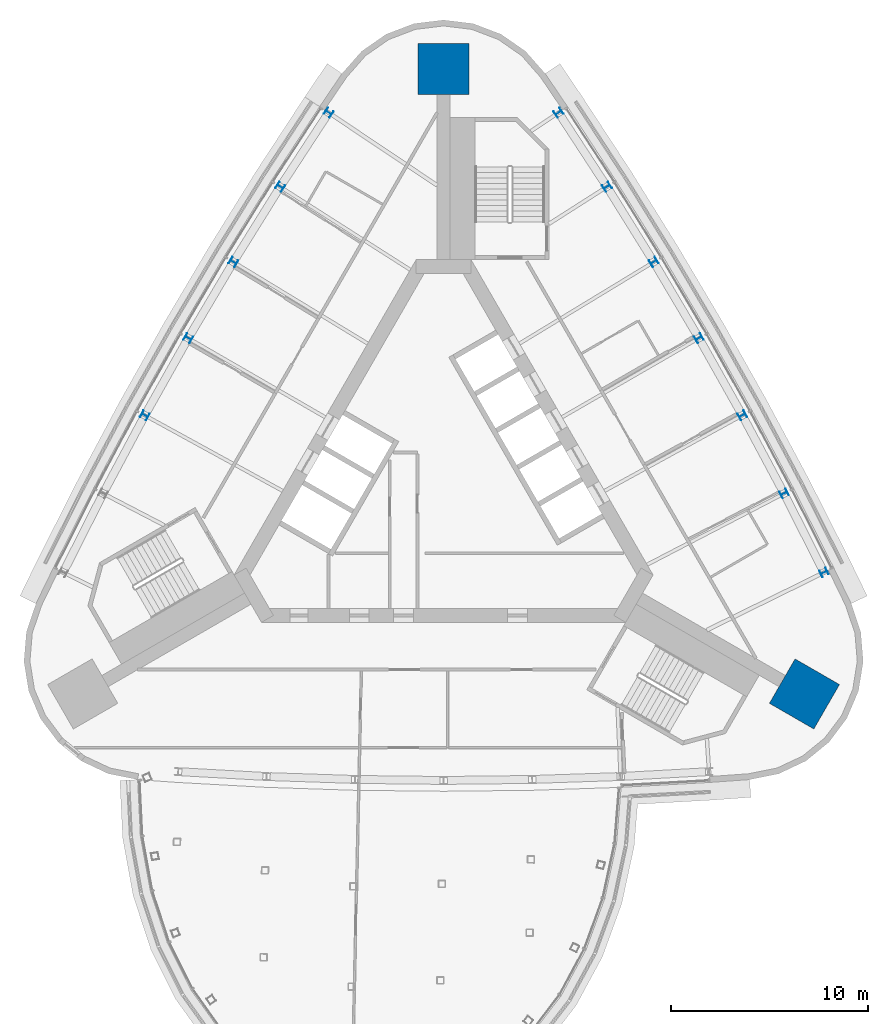
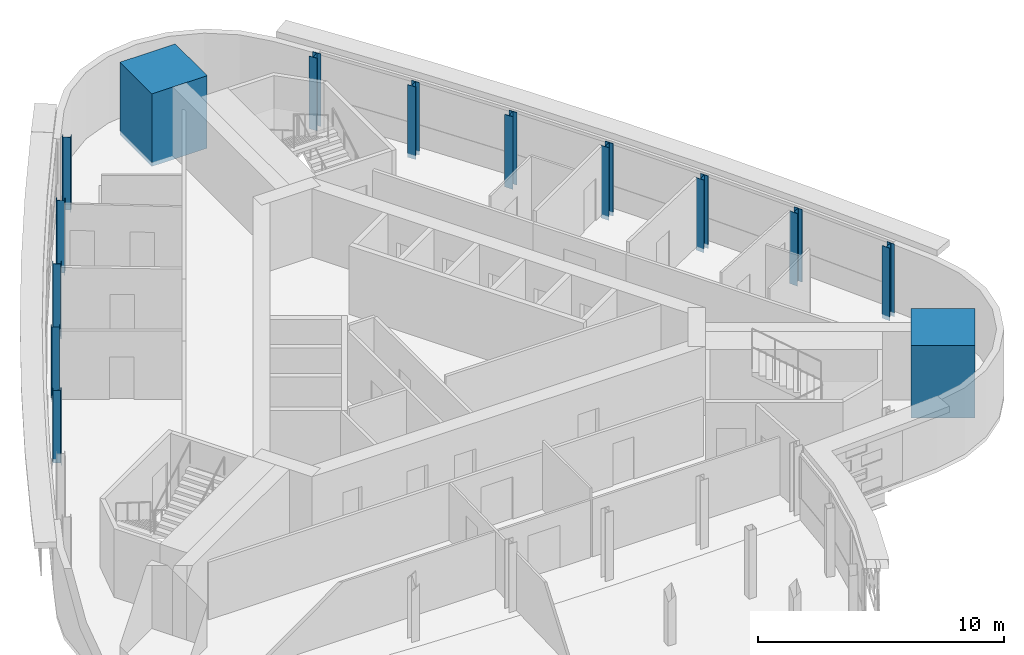
# One storey, part 2 of 14: 14 columns.
"""IFC4 building model written with IfcOpenShell, lengths in metres."""

from ifc_helpers import new_model, si_unit, direction, frame, origin, origin_2d, place, context, subcontext, project, spatial, rectangle, i_section, extrude, material, material_profile, profile_set, type_object, element, save


model = new_model("IFC4")

# Units and contexts
model_context = context("Model", 3, precision=1e-05, world=origin(), true_north=direction((0.0, 1.0)))
body_context = subcontext(model_context, "Body", "Model", "MODEL_VIEW")
ifc_project = project(units=[si_unit("LENGTHUNIT", "METRE"), si_unit("AREAUNIT", "SQUARE_METRE"), si_unit("VOLUMEUNIT", "CUBIC_METRE"), si_unit("PLANEANGLEUNIT", "RADIAN"), si_unit("MASSUNIT", "GRAM", prefix="KILO")], contexts=[model_context])

# Site, building, storey
site_placement = place(None, origin())
site = spatial("IfcSite", under=ifc_project, at=site_placement, CompositionType="ELEMENT")
building_placement = place(site_placement, origin())
building = spatial("IfcBuilding", under=site, at=building_placement, Name="Noor Cloister Tower", CompositionType="ELEMENT")
storey_placement = place(building_placement, frame((0.0, 0.0, 214.800048828125)))
storey = spatial("IfcBuildingStorey", under=building, at=storey_placement, Name="L55", CompositionType="ELEMENT", Elevation=214.800048828125)

# Columns
ifc_material_1 = material(Name="Steel ASTM A992 Gr 50", Category="steel")
ifc_material_profile_1 = material_profile(ifc_material_1, i_section(OverallWidth=0.373046875, OverallDepth=0.367919921875, WebThickness=0.014892578125, FlangeThickness=0.02392578125, FilletRadius=0.01513671875, at=origin_2d()), Name="W360x179")
ifc_profile_set_1 = profile_set([ifc_material_profile_1], Name="Steel ASTM A992 Gr 50")
column_type_1 = type_object("IfcColumnType", Name="Column W360x179", PredefinedType="COLUMN", material=ifc_profile_set_1)
for number, where, z_axis, x_axis, name in (
    (1, (-5.8251953125, 18.89794921875, -0.199951171875), (0.0, 0.0, 1.0), (-0.556360252768, -0.830941194755, 0.0), "Column NW 01 L55"),
    (2, (-8.280517578125, 15.1416015625, -0.199951171875), (0.0, 0.0, 1.0), (-0.537833901726, -0.843050825369, 0.0), "Column NW 02 L55"),
    (3, (-10.652099609375, 11.331787109375, -0.199951171875), (0.0, 0.0, 1.0), (-0.519044082631, -0.854747471647, 0.0), "Column NW 03 L55"),
    (4, (-12.93896484375, 7.47021484375, -0.199951171875), (0.0, 0.0, 1.0), (-0.5, -0.866025403784, 0.0), "Column NW 04 L55"),
    (5, (-15.1396484375, 3.55908203125, -0.199951171875), (0.0, 0.0, 1.0), (-0.480710982951, -0.876879097065, 0.0), "Column NW 05 L55"),
    (6, (19.278564453125, -4.404296875, -0.199951171875), (0.0, 0.0, 1.0), (-0.441436057324, 0.89729270993, 0.0), "Column NE 01 L55"),
    (7, (17.253173828125, -0.399658203125, -0.199951171875), (0.0, 0.0, 1.0), (-0.461186480588, 0.887303234595, 0.0), "Column NE 02 L55"),
    (8, (15.1396484375, 3.55908203125, -0.199951171875), (0.0, 0.0, 1.0), (-0.480710982951, 0.876879097065, 0.0), "Column NE 03 L55"),
    (9, (12.93896484375, 7.47021484375, -0.199951171875), (0.0, 0.0, 1.0), (-0.5, 0.866025403784, 0.0), "Column NE 04 L55"),
    (10, (10.652099609375, 11.331787109375, -0.199951171875), (0.0, 0.0, 1.0), (-0.519044082631, 0.854747471647, 0.0), "Column NE 05 L55"),
    (11, (8.280517578125, 15.1416015625, -0.199951171875), (0.0, 0.0, 1.0), (-0.537833901726, 0.843050825369, 0.0), "Column NE 06 L55"),
    (12, (5.8251953125, 18.89794921875, -0.199951171875), (0.0, 0.0, 1.0), (-0.556360252768, 0.830941194755, 0.0), "Column NE 07 L55"),
):
    element("IfcColumn", number, at=place(storey_placement, frame(where, z_axis=z_axis, x_axis=x_axis)), inside=storey, type_object=column_type_1, Name=name, PredefinedType="COLUMN", context=body_context, shape_type="SweptSolid", body=[
        extrude(i_section(OverallWidth=0.373046875, OverallDepth=0.367919921875, WebThickness=0.014892578125, FlangeThickness=0.02392578125, FilletRadius=0.01513671875, at=origin_2d()), origin(), (0.0, 0.0, 1.0), 3.599853515625),
    ])
ifc_material_2 = material(Name="Concrete C60/75", Category="concrete")
ifc_material_profile_2 = material_profile(ifc_material_2, rectangle(XDim=2.60009765625, YDim=2.60009765625, at=origin_2d()), Name="RC 2600x2600")
ifc_profile_set_2 = profile_set([ifc_material_profile_2], Name="Concrete C60/75")
column_type_2 = type_object("IfcColumnType", Name="Corner pier 2600 x 2600 C60/75", PredefinedType="COLUMN", material=ifc_profile_set_2)
for number, where, z_axis, x_axis, name in (
    (13, (0.0, 21.114990234375, -0.199951171875), (0.0, 0.0, 1.0), (0.0, 1.0, 0.0), "Corner pier N L55"),
    (14, (18.2861328125, -10.5576171875, -0.199951171875), (0.0, 0.0, 1.0), (0.866025403784, -0.5, 0.0), "Corner pier SE L55"),
):
    element("IfcColumn", number, at=place(storey_placement, frame(where, z_axis=z_axis, x_axis=x_axis)), inside=storey, type_object=column_type_2, Name=name, PredefinedType="COLUMN", context=body_context, shape_type="SweptSolid", body=[
        extrude(rectangle(XDim=2.60009765625, YDim=2.60009765625, at=origin_2d()), origin(), (0.0, 0.0, 1.0), 3.599853515625),
    ])

save(model, "model.ifc")
